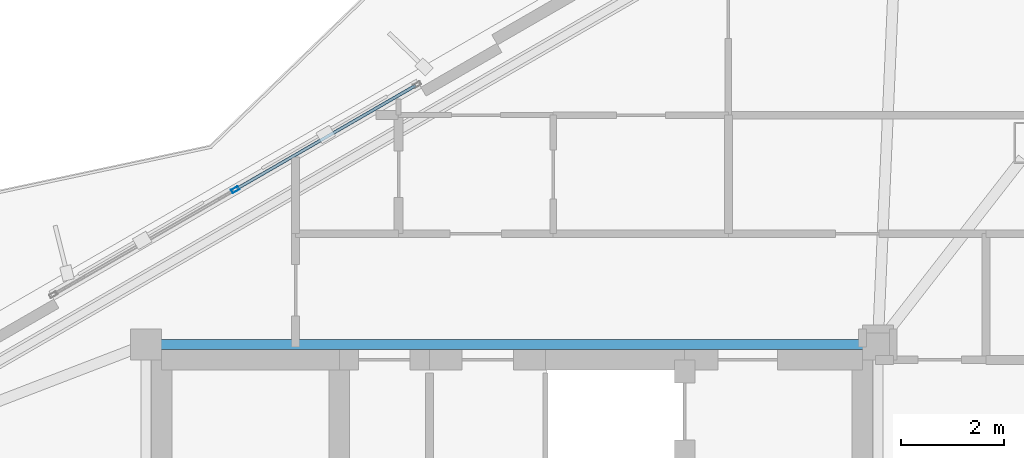
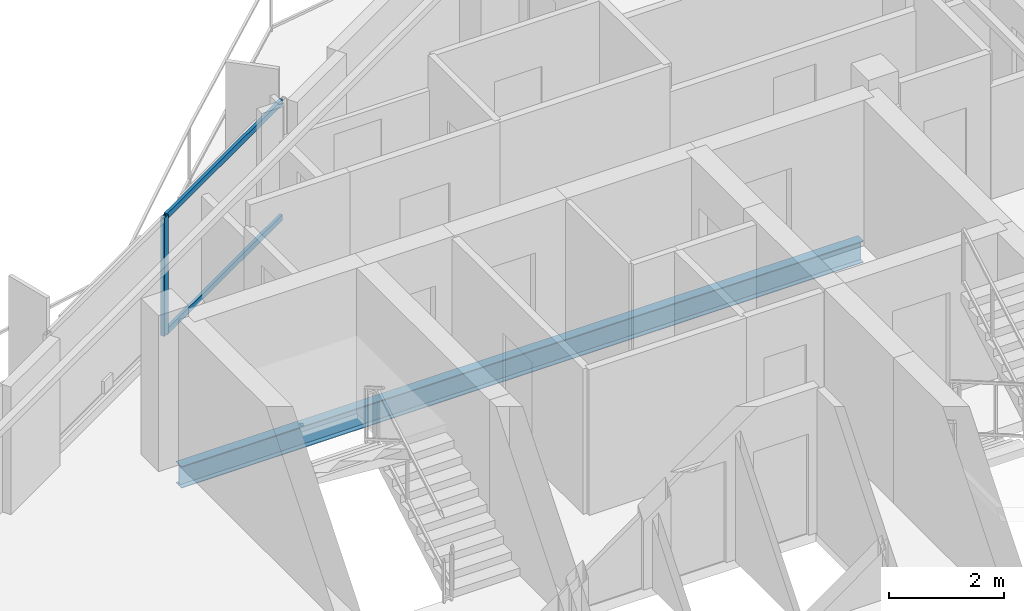
# One storey, part 10 of 18: 3 members, 1 beam, 1 element without a shape of its own.
"""IFC4 building model written with IfcOpenShell, lengths in metres."""

from ifc_helpers import new_model, si_unit, direction, frame, origin, origin_2d, place, context, subcontext, project, spatial, hollow_rectangle, i_section, extrude, material, layer, layer_set, material_profile, profile_set, type_object, element, aggregate, save


model = new_model("IFC4")

# Units and contexts
model_context = context("Model", 3, precision=1e-05, world=origin(), true_north=direction((0.0, 1.0)))
body_context = subcontext(model_context, "Body", "Model", "MODEL_VIEW")
ifc_project = project(units=[si_unit("LENGTHUNIT", "METRE"), si_unit("AREAUNIT", "SQUARE_METRE"), si_unit("VOLUMEUNIT", "CUBIC_METRE"), si_unit("PLANEANGLEUNIT", "RADIAN"), si_unit("MASSUNIT", "GRAM", prefix="KILO")], contexts=[model_context])

# Site, building, storey
site_placement = place(None, origin())
site = spatial("IfcSite", under=ifc_project, at=site_placement, CompositionType="ELEMENT")
building_placement = place(site_placement, origin())
building = spatial("IfcBuilding", under=site, at=building_placement, Name="Mersakhor Tower and Convention Hall", CompositionType="ELEMENT")
storey_placement = place(building_placement, frame((0.0, 0.0, 226.5)))
storey = spatial("IfcBuildingStorey", under=building, at=storey_placement, Name="L63", CompositionType="ELEMENT", Elevation=226.5)

# Beam
ifc_material_1 = material(Name="Steel S355", Category="steel")
ifc_material_profile_1 = material_profile(ifc_material_1, i_section(OverallWidth=0.19140625, OverallDepth=0.4599609375, WebThickness=0.010009765625, FlangeThickness=0.01611328125, at=origin_2d()), Name="UB 457x191x82")
ifc_profile_set_1 = profile_set([ifc_material_profile_1], Name="Steel S355")
beam_type = type_object("IfcBeamType", Name="BM-FB-457", PredefinedType="BEAM", material=ifc_profile_set_1)
beam_placement = place(storey_placement, frame((22.179931640625, 33.050048828125, -0.449951171875), z_axis=(1.0, 0.0, 0.0), x_axis=(0.0, 1.0, 0.0)))
element("IfcBeam", 1, at=beam_placement, inside=storey, type_object=beam_type, Name="L63 Core Ring Tie Beam CRB-2", PredefinedType="BEAM", context=body_context, shape_type="SweptSolid", body=[
    extrude(i_section(OverallWidth=0.19140625, OverallDepth=0.4599609375, WebThickness=0.010009765625, FlangeThickness=0.01611328125, at=origin_2d()), origin(), (0.0, 0.0, 1.0), 13.64013671875),
])

# Curtain wall, members
ifc_material_2 = material(Name="Dark solar low-E aluminium curtain wall", Category="aluminium")
ifc_layer = layer(ifc_material_2, 0.179931640625)
ifc_layer_set = layer_set([ifc_layer], Name="Dark solar low-E aluminium curtain wall")
curtain_wall_type = type_object("IfcCurtainWallType", Name="CW-SYS-03", PredefinedType="USERDEFINED", material=ifc_layer_set)
curtain_wall_placement = place(storey_placement, origin())
curtain_wall = element("IfcCurtainWall", 2, at=curtain_wall_placement, inside=storey, type_object=curtain_wall_type, Name="L63 Dark-Glass Curtain Wall F1-B2", ObjectType="CURTAIN WALL", PredefinedType="USERDEFINED")
ifc_material_3 = material(Name="Anodised aluminium EN AW-6063 T6", Category="aluminium")
ifc_material_profile_2 = material_profile(ifc_material_3, hollow_rectangle(XDim=0.074951171875, YDim=0.14990234375, WallThickness=0.00634765625, at=origin_2d()), Name="RHS 150x75x6.3")
ifc_profile_set_2 = profile_set([ifc_material_profile_2], Name="Anodised aluminium EN AW-6063 T6")
member_type_1 = type_object("IfcMemberType", Name="CWM-150x75", PredefinedType="MULLION", material=ifc_profile_set_2)
member_1_placement = place(storey_placement, frame((23.628662109375, 36.053466796875, 0.199951171875), z_axis=(0.0, 0.0, 1.0), x_axis=(-0.500004411169, 0.86602285698, 0.0)))
member_1 = element("IfcMember", 3, at=member_1_placement, type_object=member_type_1, Name="CW-03 mullion 2", PredefinedType="MULLION", context=body_context, shape_type="SweptSolid", body=[
    extrude(hollow_rectangle(XDim=0.074951171875, YDim=0.14990234375, WallThickness=0.00634765625, at=origin_2d()), origin(), (0.0, 0.0, 1.0), 2.5),
])
ifc_material_4 = material(Name="Anodised aluminium EN AW-6063 T6", Category="aluminium")
ifc_material_profile_3 = material_profile(ifc_material_4, hollow_rectangle(XDim=0.06005859375, YDim=0.1201171875, WallThickness=0.0048828125, at=origin_2d()), Name="RHS 120x60x5")
ifc_profile_set_3 = profile_set([ifc_material_profile_3], Name="Anodised aluminium EN AW-6063 T6")
member_type_2 = type_object("IfcMemberType", Name="CWT-120x60", PredefinedType="USERDEFINED", material=ifc_profile_set_3)
member_2_placement = place(storey_placement, frame((23.6611328125, 36.072265625, 0.22998046875), z_axis=(0.866023018642, 0.500004131166, 0.0), x_axis=(-0.500004131166, 0.866023018642, 0.0)))
member_2 = element("IfcMember", 4, at=member_2_placement, type_object=member_type_2, Name="CW-03 transom 2.1", ObjectType="TRANSOM", PredefinedType="USERDEFINED", context=body_context, shape_type="SweptSolid", body=[
    extrude(hollow_rectangle(XDim=0.06005859375, YDim=0.1201171875, WallThickness=0.0048828125, at=origin_2d()), origin(), (0.0, 0.0, 1.0), 4.00146484375),
])
member_3_placement = place(storey_placement, frame((23.6611328125, 36.072265625, 2.669921875), z_axis=(0.866023018642, 0.500004131166, 0.0), x_axis=(-0.500004131166, 0.866023018642, 0.0)))
member_3 = element("IfcMember", 5, at=member_3_placement, type_object=member_type_2, Name="CW-03 transom 2.2", ObjectType="TRANSOM", PredefinedType="USERDEFINED", context=body_context, shape_type="SweptSolid", body=[
    extrude(hollow_rectangle(XDim=0.06005859375, YDim=0.1201171875, WallThickness=0.0048828125, at=origin_2d()), origin(), (0.0, 0.0, 1.0), 4.00146484375),
])
aggregate(curtain_wall, [member_1, member_2, member_3])

save(model, "model.ifc")
